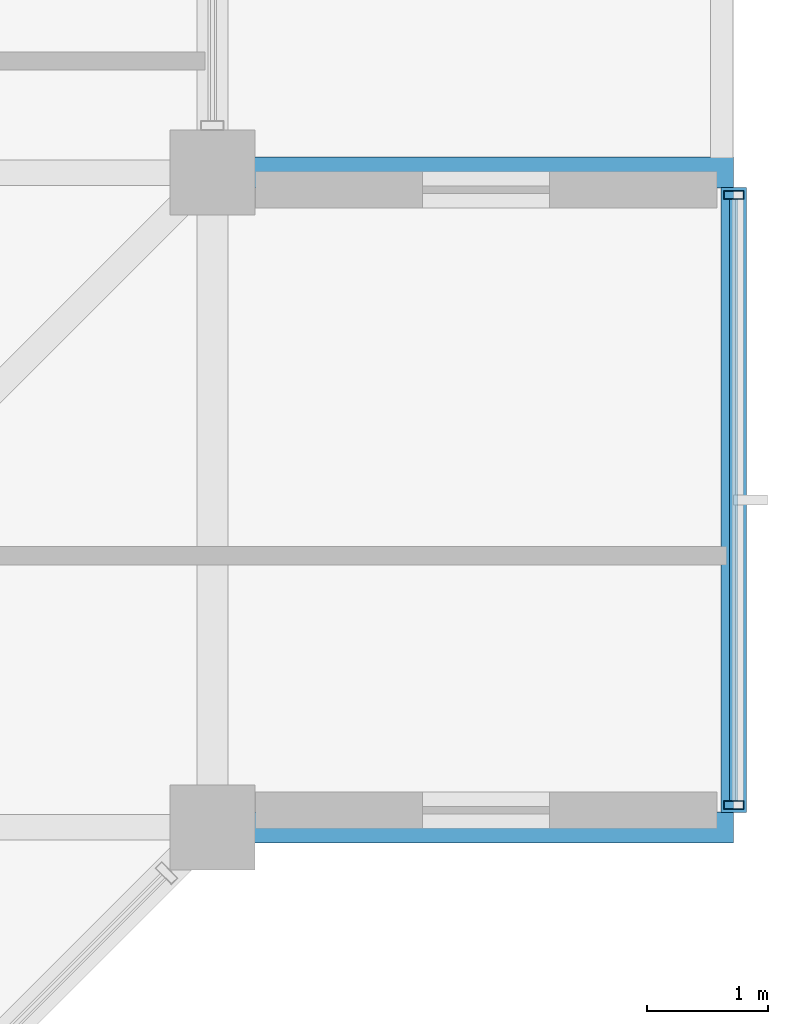
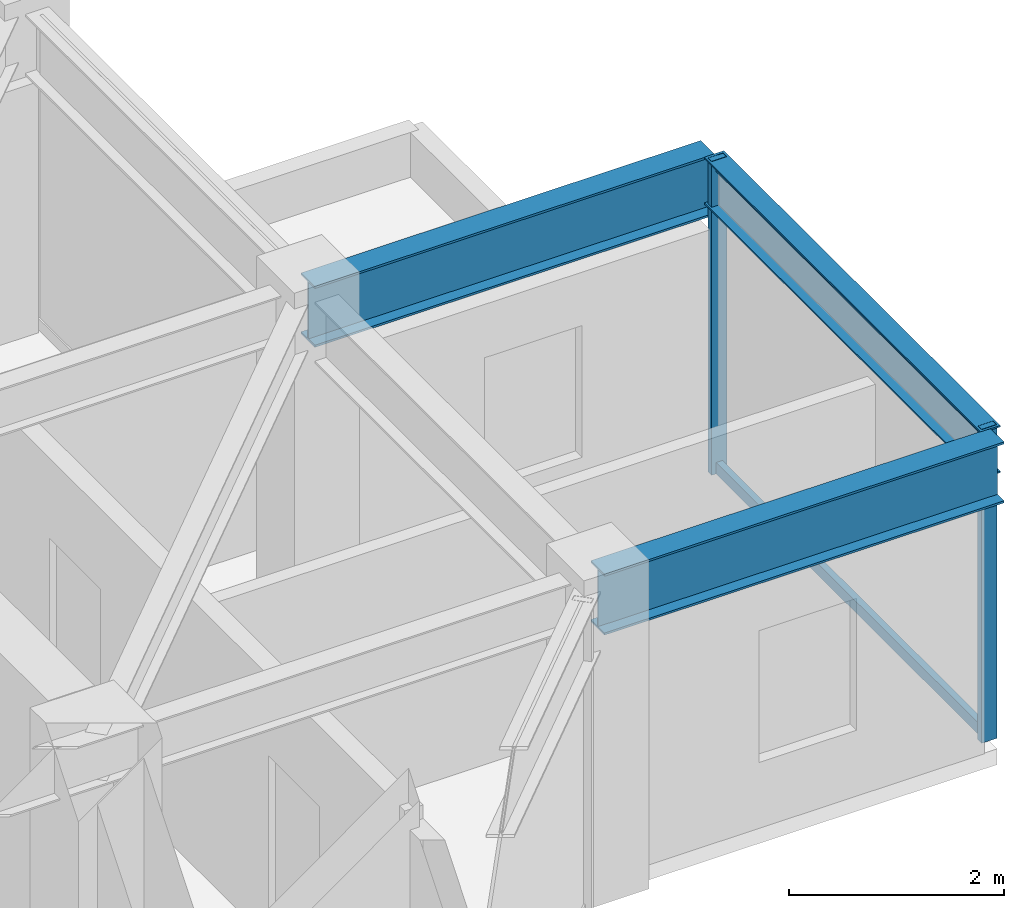
# One storey, part 12 of 31: 4 members, 3 beams, 1 element without a shape of its own.
"""IFC4 building model written with IfcOpenShell, lengths in metres."""

from ifc_helpers import new_model, si_unit, direction, frame, origin, origin_2d, place, context, subcontext, project, spatial, hollow_rectangle, i_section, extrude, material, layer, layer_set, material_profile, profile_set, type_object, element, aggregate, save


model = new_model("IFC4")

# Units and contexts
model_context = context("Model", 3, precision=1e-05, world=origin(), true_north=direction((0.0, 1.0)))
body_context = subcontext(model_context, "Body", "Model", "MODEL_VIEW")
ifc_project = project(units=[si_unit("LENGTHUNIT", "METRE"), si_unit("AREAUNIT", "SQUARE_METRE"), si_unit("VOLUMEUNIT", "CUBIC_METRE"), si_unit("PLANEANGLEUNIT", "RADIAN"), si_unit("MASSUNIT", "GRAM", prefix="KILO")], contexts=[model_context])

# Site, building, storey
site_placement = place(None, origin())
site = spatial("IfcSite", under=ifc_project, at=site_placement, CompositionType="ELEMENT")
building_placement = place(site_placement, origin())
building = spatial("IfcBuilding", under=site, at=building_placement, Name="Surkhivell Harbour Commons", CompositionType="ELEMENT")
storey_placement = place(building_placement, frame((0.0, 0.0, 315.0)))
storey = spatial("IfcBuildingStorey", under=building, at=storey_placement, Name="L82", CompositionType="ELEMENT", Elevation=315.0)

# Beams
ifc_material_1 = material(Name="Steel S460", Category="steel")
ifc_material_profile_1 = material_profile(ifc_material_1, i_section(OverallWidth=0.256103515625, OverallDepth=0.693115234375, WebThickness=0.014404296875, FlangeThickness=0.023681640625, at=origin_2d()), Name="UB686x254x170")
ifc_profile_set_1 = profile_set([ifc_material_profile_1], Name="Steel S460")
beam_type_1 = type_object("IfcBeamType", Name="BM-CNT-686", PredefinedType="BEAM", material=ifc_profile_set_1)
for number, where, z_axis, x_axis, name in (
    (1, (16.199951171875, -5.39990234375, 3.223388671875), (1.0, 0.0, 0.0), (0.0, 1.0, 0.0), "L82 Box Cantilever Outrigger (16.2,-5.4)"),
    (2, (16.199951171875, 0.0, 3.223388671875), (1.0, 0.0, 0.0), (0.0, 1.0, 0.0), "L82 Box Cantilever Outrigger (16.2,0.0)"),
):
    element("IfcBeam", number, at=place(storey_placement, frame(where, z_axis=z_axis, x_axis=x_axis)), inside=storey, type_object=beam_type_1, Name=name, PredefinedType="BEAM", context=body_context, shape_type="SweptSolid", body=[
        extrude(i_section(OverallWidth=0.256103515625, OverallDepth=0.693115234375, WebThickness=0.014404296875, FlangeThickness=0.023681640625, at=origin_2d()), origin(), (0.0, 0.0, 1.0), 4.300048828125),
    ])
ifc_material_2 = material(Name="Steel S355", Category="steel")
ifc_material_profile_2 = material_profile(ifc_material_2, i_section(OverallWidth=0.2099609375, OverallDepth=0.537109375, WebThickness=0.0107421875, FlangeThickness=0.017333984375, at=origin_2d()), Name="UB533x210x101")
ifc_profile_set_2 = profile_set([ifc_material_profile_2], Name="Steel S355")
beam_type_2 = type_object("IfcBeamType", Name="BM-GRD-533B", PredefinedType="BEAM", material=ifc_profile_set_2)
beam_placement = place(storey_placement, frame((20.5, -5.278076171875, 3.301513671875), z_axis=(0.0, 1.0, 0.0), x_axis=(-1.0, 0.0, 0.0)))
element("IfcBeam", 3, at=beam_placement, inside=storey, type_object=beam_type_2, Name="L82 Box Rim Spandrel (20.5,-5.4)", PredefinedType="BEAM", context=body_context, shape_type="SweptSolid", body=[
    extrude(i_section(OverallWidth=0.2099609375, OverallDepth=0.537109375, WebThickness=0.0107421875, FlangeThickness=0.017333984375, at=origin_2d()), origin(), (0.0, 0.0, 1.0), 5.156005859375),
])

# Curtain wall, members
ifc_material_3 = material(Name="Anodised pale-metal aluminium and insulated glazing", Category="aluminium")
ifc_layer = layer(ifc_material_3, 0.1650390625)
ifc_layer_set = layer_set([ifc_layer], Name="Anodised pale-metal aluminium and insulated glazing")
curtain_wall_type = type_object("IfcCurtainWallType", Name="CW-SYS-BOX", PredefinedType="NOTDEFINED", material=ifc_layer_set)
curtain_wall_placement = place(storey_placement, origin())
curtain_wall = element("IfcCurtainWall", 4, at=curtain_wall_placement, inside=storey, type_object=curtain_wall_type, Name="L82 Curtain Wall CW-L82-BOX01", PredefinedType="NOTDEFINED")
ifc_material_4 = material(Name="Champagne anodised aluminium alloy 6063-T6", Category="aluminium")
ifc_material_profile_3 = material_profile(ifc_material_4, hollow_rectangle(XDim=0.070068359375, YDim=0.1650390625, WallThickness=0.00341796875, at=origin_2d()), Name="ALU-MULL-70x165")
ifc_profile_set_3 = profile_set([ifc_material_profile_3], Name="Champagne anodised aluminium alloy 6063-T6")
member_type_1 = type_object("IfcMemberType", Name="CWM-165", PredefinedType="MULLION", material=ifc_profile_set_3)
member_1_placement = place(storey_placement, frame((20.5, -5.215087890625, 0.0), z_axis=(0.0, 0.0, 1.0), x_axis=(0.0, 1.0, 0.0)))
member_1 = element("IfcMember", 5, at=member_1_placement, type_object=member_type_1, Name="CW-BOX mullion 1", PredefinedType="MULLION", context=body_context, shape_type="SweptSolid", body=[
    extrude(hollow_rectangle(XDim=0.070068359375, YDim=0.1650390625, WallThickness=0.00341796875, at=origin_2d()), origin(), (0.0, 0.0, 1.0), 3.570068359375),
])
member_2_placement = place(storey_placement, frame((20.5, -0.18505859375, 0.0), z_axis=(0.0, 0.0, 1.0), x_axis=(0.0, 1.0, 0.0)))
member_2 = element("IfcMember", 6, at=member_2_placement, type_object=member_type_1, Name="CW-BOX mullion 2", PredefinedType="MULLION", context=body_context, shape_type="SweptSolid", body=[
    extrude(hollow_rectangle(XDim=0.070068359375, YDim=0.1650390625, WallThickness=0.00341796875, at=origin_2d()), origin(), (0.0, 0.0, 1.0), 3.570068359375),
])
ifc_material_profile_4 = material_profile(ifc_material_4, hollow_rectangle(XDim=0.070068359375, YDim=0.1298828125, WallThickness=0.00341796875, at=origin_2d()), Name="ALU-TRAN-70x130")
ifc_profile_set_4 = profile_set([ifc_material_profile_4], Name="Champagne anodised aluminium alloy 6063-T6")
member_type_2 = type_object("IfcMemberType", Name="CWT-130", PredefinedType="USERDEFINED", material=ifc_profile_set_4)
member_3_placement = place(storey_placement, frame((20.5, -5.179931640625, 0.06494140625), z_axis=(0.0, 1.0, 0.0), x_axis=(-1.0, 0.0, 0.0)))
member_3 = element("IfcMember", 7, at=member_3_placement, type_object=member_type_2, Name="CW-BOX transom 1.1", ObjectType="TRANSOM", PredefinedType="USERDEFINED", context=body_context, shape_type="SweptSolid", body=[
    extrude(hollow_rectangle(XDim=0.070068359375, YDim=0.1298828125, WallThickness=0.00341796875, at=origin_2d()), origin(), (0.0, 0.0, 1.0), 4.9599609375),
])
member_4_placement = place(storey_placement, frame((20.5, -5.179931640625, 3.5048828125), z_axis=(0.0, 1.0, 0.0), x_axis=(-1.0, 0.0, 0.0)))
member_4 = element("IfcMember", 8, at=member_4_placement, type_object=member_type_2, Name="CW-BOX transom 1.2", ObjectType="TRANSOM", PredefinedType="USERDEFINED", context=body_context, shape_type="SweptSolid", body=[
    extrude(hollow_rectangle(XDim=0.070068359375, YDim=0.1298828125, WallThickness=0.00341796875, at=origin_2d()), origin(), (0.0, 0.0, 1.0), 4.9599609375),
])
aggregate(curtain_wall, [member_1, member_2, member_3, member_4])

save(model, "model.ifc")
